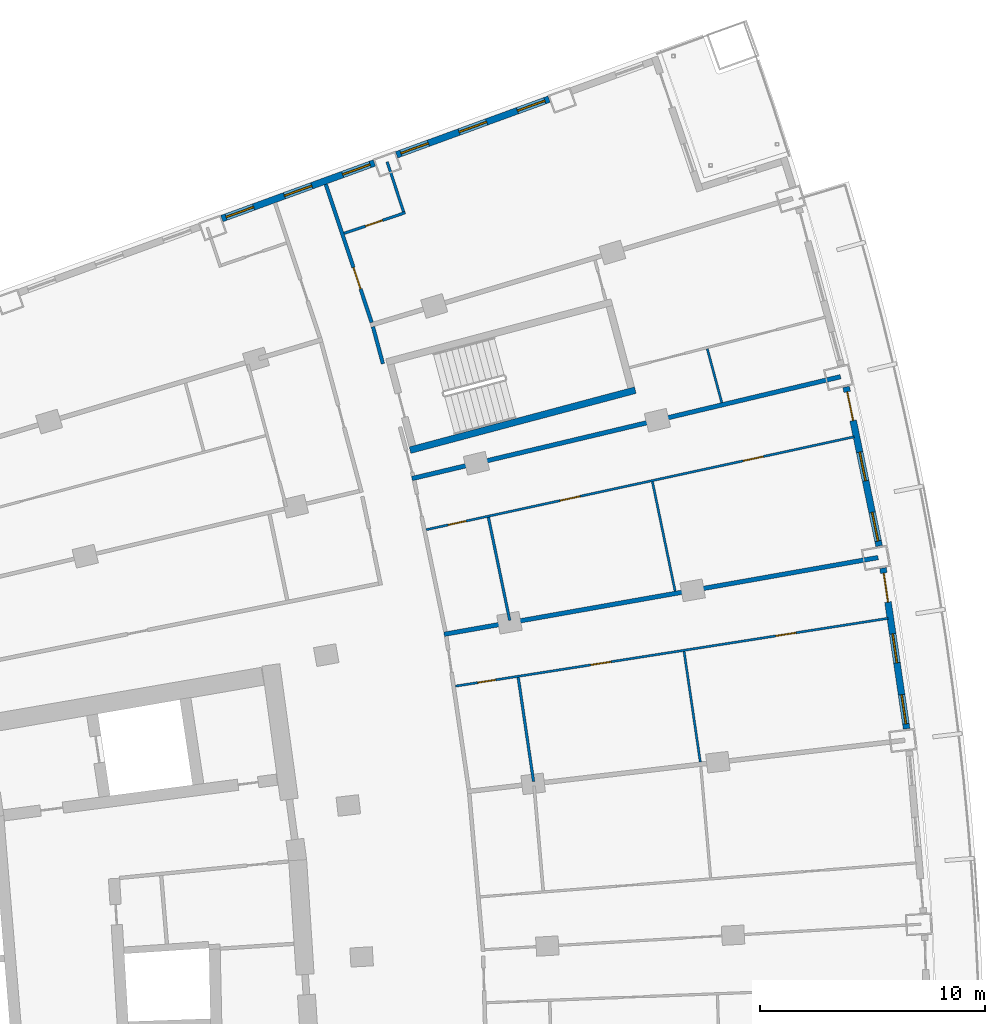
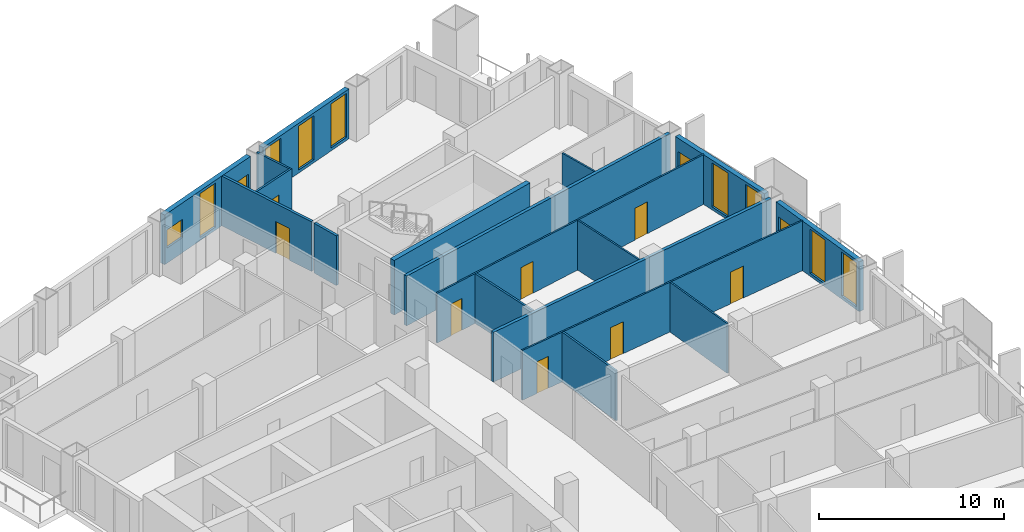
# One storey, part 20 of 25: 18 walls, 10 doors, 10 windows, 20 openings.
"""IFC4 building model written with IfcOpenShell, lengths in metres."""

from ifc_helpers import new_model, si_unit, direction, frame, frame_2d, origin, place, context, subcontext, project, spatial, rectangle, extrude, material, layer, layer_set, type_object, element, fill, save


model = new_model("IFC4")

# Units and contexts
model_context = context("Model", 3, precision=1e-05, world=origin(), true_north=direction((0.0, 1.0)))
body_context = subcontext(model_context, "Body", "Model", "MODEL_VIEW")
ifc_project = project(units=[si_unit("LENGTHUNIT", "METRE"), si_unit("AREAUNIT", "SQUARE_METRE"), si_unit("VOLUMEUNIT", "CUBIC_METRE"), si_unit("PLANEANGLEUNIT", "RADIAN"), si_unit("MASSUNIT", "GRAM", prefix="KILO")], contexts=[model_context])

# Site, building, storey
site_placement = place(None, origin())
site = spatial("IfcSite", under=ifc_project, at=site_placement, CompositionType="ELEMENT")
building_placement = place(site_placement, origin())
building = spatial("IfcBuilding", under=site, at=building_placement, Name="Alderwake Tower", CompositionType="ELEMENT")
storey_placement = place(building_placement, frame((0.0, 0.0, 118.39990234375)))
storey = spatial("IfcBuildingStorey", under=building, at=storey_placement, Name="L29", CompositionType="ELEMENT", Elevation=118.39990234375)

# Wall
ifc_material_1 = material(Name="Concrete C70/85", Category="concrete")
ifc_layer_1 = layer(ifc_material_1, 0.300048828125)
ifc_layer_set_1 = layer_set([ifc_layer_1], Name="Core wall stair enclosure 300 C70-85")
wall_type_1 = type_object("IfcWallType", Name="Core wall stair enclosure 300 C70-85", PredefinedType="SHEAR", material=ifc_layer_set_1)
wall_1_placement = place(storey_placement, frame((37.75390625, 90.268798828125, 0.0), z_axis=(0.0, 0.0, 1.0), x_axis=(0.966309214305, 0.257383958996, 0.0)))
element("IfcWall", 1, at=wall_1_placement, inside=storey, type_object=wall_type_1, Name="Core wall CW.084", PredefinedType="SHEAR", context=body_context, shape_type="SweptSolid", body=[
    extrude(rectangle(XDim=10.360107421875, YDim=0.300048828125, at=frame_2d((5.18017578125, 0.0))), origin(), (0.0, 0.0, 1.0), 3.60009765625),
])

# Wall, opening, door
ifc_material_2 = material(Name="Gypsum board on metal studs, rated")
ifc_layer_2 = layer(ifc_material_2, 0.159912109375)
ifc_layer_set_2 = layer_set([ifc_layer_2], Name="Corridor wall 160")
wall_type_2 = type_object("IfcWallType", Name="Corridor wall 160", PredefinedType="PARTITIONING", material=ifc_layer_set_2)
wall_2_placement = place(storey_placement, frame((34.010986328125, 102.083984375, 0.0), z_axis=(0.0, 0.0, 1.0), x_axis=(0.315140606423, -0.949044992708, 0.0)))
wall_2 = element("IfcWall", 2, at=wall_2_placement, inside=storey, type_object=wall_type_2, Name="WL/L29/W28", PredefinedType="PARTITIONING", context=body_context, shape_type="SweptSolid", body=[
    extrude(rectangle(XDim=6.46875, YDim=0.159912109375, at=frame_2d((3.234375, 0.0))), origin(), (0.0, 0.0, 1.0), 3.280029296875),
])
opening_1_placement = place(wall_2_placement, frame((3.897705078125, 0.0, 0.0)))
opening_1 = element("IfcOpeningElement", 3, at=opening_1_placement, cuts=wall_2, Name="Opening R08-U04.1", PredefinedType="OPENING", context=body_context, shape_type="SweptSolid", body=[
    extrude(rectangle(XDim=1.0, YDim=2.10009765625, at=frame_2d((0.5, 1.050048828125))), frame((0.0, 0.08984375, 0.0), z_axis=(0.0, -1.0, 0.0), x_axis=(1.0, 0.0, 0.0)), (0.0, 0.0, 1.0), 0.179931640625),
])
ifc_material_3 = material(Name="Solid timber leaf in steel frame", Category="steel")
door_type_1 = type_object("IfcDoorType", Name="Flat entrance door 1000 fire-rated", OperationType="SINGLE_SWING_LEFT", PredefinedType="DOOR", material=ifc_material_3)
door_1_placement = place(opening_1_placement, origin())
door_1 = element("IfcDoor", 4, at=door_1_placement, inside=storey, type_object=door_type_1, Name="DR/L29/U04.1", OperationType="SINGLE_SWING_LEFT", OverallHeight=2.10009765625, OverallWidth=1.0, PredefinedType="DOOR", context=body_context, shape_type="SweptSolid", body=[
    extrude(rectangle(XDim=1.0, YDim=2.10009765625, at=frame_2d((0.5, 1.050048828125))), frame((0.0, 0.02490234375, 0.0), z_axis=(0.0, -1.0, 0.0), x_axis=(1.0, 0.0, 0.0)), (0.0, 0.0, 1.0), 0.050048828125),
])
fill(opening_1, door_1)

# Wall
wall_3_placement = place(storey_placement, frame((36.549072265625, 94.110107421875, 0.0), z_axis=(0.0, 0.0, 1.0), x_axis=(-0.259813977097, 0.965658685719, 0.0)))
element("IfcWall", 5, at=wall_3_placement, inside=storey, type_object=wall_type_2, Name="WL/L29/W31", PredefinedType="PARTITIONING", context=body_context, shape_type="SweptSolid", body=[
    extrude(rectangle(XDim=1.70166015625, YDim=0.159912109375, at=frame_2d((0.850830078125, 0.0))), origin(), (0.0, 0.0, 1.0), 3.280029296875),
])

# Wall, openings, door, windows
ifc_material_4 = material(Name="Precast concrete C50/60 spandrel panel", Category="concrete")
ifc_layer_3 = layer(ifc_material_4, 0.300048828125)
ifc_layer_set_3 = layer_set([ifc_layer_3], Name="External wall EW1 Precast concrete C50/60 spandrel")
wall_type_3 = type_object("IfcWallType", Name="External wall EW1 Precast concrete C50/60 spandrel", PredefinedType="SOLIDWALL", material=ifc_layer_set_3)
wall_4_placement = place(storey_placement, frame((59.820068359375, 77.888916015625, 0.0), z_axis=(0.0, 0.0, 1.0), x_axis=(-0.145322588421, 0.989384326384, 0.0)))
wall_4 = element("IfcWall", 6, at=wall_4_placement, inside=storey, type_object=wall_type_3, Name="External wall 19", PredefinedType="SOLIDWALL", context=body_context, shape_type="SweptSolid", body=[
    extrude(rectangle(XDim=7.21728515625, YDim=0.300048828125, at=frame_2d((3.608642578125, 0.0))), origin(), (0.0, 0.0, 1.0), 3.280029296875),
])
opening_2_placement = place(wall_4_placement, frame((0.22509765625, 0.0, 0.199951171875)))
opening_2 = element("IfcOpeningElement", 7, at=opening_2_placement, cuts=wall_4, Name="Opening W1", PredefinedType="OPENING", context=body_context, shape_type="SweptSolid", body=[
    extrude(rectangle(XDim=1.300048828125, YDim=2.89990234375, at=frame_2d((0.64990234375, 1.449951171875))), frame((0.0, 0.159912109375, 0.0), z_axis=(0.0, -1.0, 0.0), x_axis=(1.0, 0.0, 0.0)), (0.0, 0.0, 1.0), 0.320068359375),
])
opening_3_placement = place(wall_4_placement, frame((2.958740234375, 0.0, 0.199951171875)))
opening_3 = element("IfcOpeningElement", 8, at=opening_3_placement, cuts=wall_4, Name="Opening W1", PredefinedType="OPENING", context=body_context, shape_type="SweptSolid", body=[
    extrude(rectangle(XDim=1.300048828125, YDim=2.89990234375, at=frame_2d((0.64990234375, 1.449951171875))), frame((0.0, 0.159912109375, 0.0), z_axis=(0.0, -1.0, 0.0), x_axis=(1.0, 0.0, 0.0)), (0.0, 0.0, 1.0), 0.320068359375),
])
opening_4_placement = place(wall_4_placement, frame((5.692138671875, 0.0, 0.0)))
opening_4 = element("IfcOpeningElement", 9, at=opening_4_placement, cuts=wall_4, Name="Opening D10", PredefinedType="OPENING", context=body_context, shape_type="SweptSolid", body=[
    extrude(rectangle(XDim=1.300048828125, YDim=2.39990234375, at=frame_2d((0.64990234375, 1.199951171875))), frame((0.0, 0.159912109375, 0.0), z_axis=(0.0, -1.0, 0.0), x_axis=(1.0, 0.0, 0.0)), (0.0, 0.0, 1.0), 0.320068359375),
])
ifc_material_5 = material(Name="Bronze tinted glass in aluminium frame", Category="aluminium")
door_type_2 = type_object("IfcDoorType", Name="Balcony door BD sliding", OperationType="SLIDING_TO_LEFT", PredefinedType="DOOR", material=ifc_material_5)
door_2_placement = place(opening_4_placement, origin())
door_2 = element("IfcDoor", 10, at=door_2_placement, inside=storey, type_object=door_type_2, Name="Door D10", OperationType="SLIDING_TO_LEFT", OverallHeight=2.39990234375, OverallWidth=1.300048828125, PredefinedType="DOOR", context=body_context, shape_type="SweptSolid", body=[
    extrude(rectangle(XDim=1.300048828125, YDim=2.39990234375, at=frame_2d((0.64990234375, 1.199951171875))), frame((0.0, 0.02490234375, 0.0), z_axis=(0.0, -1.0, 0.0), x_axis=(1.0, 0.0, 0.0)), (0.0, 0.0, 1.0), 0.050048828125),
])
fill(opening_4, door_2)
ifc_material_6 = material(Name="Bronze tinted glass in aluminium frame", Category="aluminium")
window_type_1 = type_object("IfcWindowType", Name="Window W1 tall fixed and vent", PartitioningType="DOUBLE_PANEL_VERTICAL", PredefinedType="WINDOW", material=ifc_material_6)
window_1_placement = place(opening_2_placement, origin())
window_1 = element("IfcWindow", 11, at=window_1_placement, inside=storey, type_object=window_type_1, Name="Window W1 tall fixed and vent", OverallHeight=2.89990234375, OverallWidth=1.300048828125, PartitioningType="DOUBLE_PANEL_VERTICAL", PredefinedType="WINDOW", context=body_context, shape_type="SweptSolid", body=[
    extrude(rectangle(XDim=1.300048828125, YDim=2.89990234375, at=frame_2d((0.64990234375, 1.449951171875))), frame((0.0, 0.030029296875, 0.0), z_axis=(0.0, -1.0, 0.0), x_axis=(1.0, 0.0, 0.0)), (0.0, 0.0, 1.0), 0.06005859375),
])
fill(opening_2, window_1)
window_2_placement = place(opening_3_placement, origin())
window_2 = element("IfcWindow", 12, at=window_2_placement, inside=storey, type_object=window_type_1, Name="Window W1 tall fixed and vent", OverallHeight=2.89990234375, OverallWidth=1.300048828125, PartitioningType="DOUBLE_PANEL_VERTICAL", PredefinedType="WINDOW", context=body_context, shape_type="SweptSolid", body=[
    extrude(rectangle(XDim=1.300048828125, YDim=2.89990234375, at=frame_2d((0.64990234375, 1.449951171875))), frame((0.0, 0.030029296875, 0.0), z_axis=(0.0, -1.0, 0.0), x_axis=(1.0, 0.0, 0.0)), (0.0, 0.0, 1.0), 0.06005859375),
])
fill(opening_3, window_2)

wall_5_placement = place(storey_placement, frame((58.59765625, 86.01171875, 0.0), z_axis=(0.0, 0.0, 1.0), x_axis=(-0.202759964429, 0.979228470187, 0.0)))
wall_5 = element("IfcWall", 13, at=wall_5_placement, inside=storey, type_object=wall_type_3, Name="External wall 20", PredefinedType="SOLIDWALL", context=body_context, shape_type="SweptSolid", body=[
    extrude(rectangle(XDim=7.21728515625, YDim=0.300048828125, at=frame_2d((3.608642578125, 0.0))), origin(), (0.0, 0.0, 1.0), 3.280029296875),
])
opening_5_placement = place(wall_5_placement, frame((0.22509765625, 0.0, 0.199951171875)))
opening_5 = element("IfcOpeningElement", 14, at=opening_5_placement, cuts=wall_5, Name="Opening W1", PredefinedType="OPENING", context=body_context, shape_type="SweptSolid", body=[
    extrude(rectangle(XDim=1.300048828125, YDim=2.89990234375, at=frame_2d((0.64990234375, 1.449951171875))), frame((0.0, 0.159912109375, 0.0), z_axis=(0.0, -1.0, 0.0), x_axis=(1.0, 0.0, 0.0)), (0.0, 0.0, 1.0), 0.320068359375),
])
opening_6_placement = place(wall_5_placement, frame((2.958740234375, 0.0, 0.199951171875)))
opening_6 = element("IfcOpeningElement", 15, at=opening_6_placement, cuts=wall_5, Name="Opening W1", PredefinedType="OPENING", context=body_context, shape_type="SweptSolid", body=[
    extrude(rectangle(XDim=1.300048828125, YDim=2.89990234375, at=frame_2d((0.64990234375, 1.449951171875))), frame((0.0, 0.159912109375, 0.0), z_axis=(0.0, -1.0, 0.0), x_axis=(1.0, 0.0, 0.0)), (0.0, 0.0, 1.0), 0.320068359375),
])
opening_7_placement = place(wall_5_placement, frame((5.692138671875, 0.0, 0.0)))
opening_7 = element("IfcOpeningElement", 16, at=opening_7_placement, cuts=wall_5, Name="Opening D11", PredefinedType="OPENING", context=body_context, shape_type="SweptSolid", body=[
    extrude(rectangle(XDim=1.300048828125, YDim=2.39990234375, at=frame_2d((0.64990234375, 1.199951171875))), frame((0.0, 0.159912109375, 0.0), z_axis=(0.0, -1.0, 0.0), x_axis=(1.0, 0.0, 0.0)), (0.0, 0.0, 1.0), 0.320068359375),
])
door_3_placement = place(opening_7_placement, origin())
door_3 = element("IfcDoor", 17, at=door_3_placement, inside=storey, type_object=door_type_2, Name="Door D11", OperationType="SLIDING_TO_LEFT", OverallHeight=2.39990234375, OverallWidth=1.300048828125, PredefinedType="DOOR", context=body_context, shape_type="SweptSolid", body=[
    extrude(rectangle(XDim=1.300048828125, YDim=2.39990234375, at=frame_2d((0.64990234375, 1.199951171875))), frame((0.0, 0.02490234375, 0.0), z_axis=(0.0, -1.0, 0.0), x_axis=(1.0, 0.0, 0.0)), (0.0, 0.0, 1.0), 0.050048828125),
])
fill(opening_7, door_3)
window_3_placement = place(opening_5_placement, origin())
window_3 = element("IfcWindow", 18, at=window_3_placement, inside=storey, type_object=window_type_1, Name="Window W1 tall fixed and vent", OverallHeight=2.89990234375, OverallWidth=1.300048828125, PartitioningType="DOUBLE_PANEL_VERTICAL", PredefinedType="WINDOW", context=body_context, shape_type="SweptSolid", body=[
    extrude(rectangle(XDim=1.300048828125, YDim=2.89990234375, at=frame_2d((0.64990234375, 1.449951171875))), frame((0.0, 0.030029296875, 0.0), z_axis=(0.0, -1.0, 0.0), x_axis=(1.0, 0.0, 0.0)), (0.0, 0.0, 1.0), 0.06005859375),
])
fill(opening_5, window_3)
window_4_placement = place(opening_6_placement, origin())
window_4 = element("IfcWindow", 19, at=window_4_placement, inside=storey, type_object=window_type_1, Name="Window W1 tall fixed and vent", OverallHeight=2.89990234375, OverallWidth=1.300048828125, PartitioningType="DOUBLE_PANEL_VERTICAL", PredefinedType="WINDOW", context=body_context, shape_type="SweptSolid", body=[
    extrude(rectangle(XDim=1.300048828125, YDim=2.89990234375, at=frame_2d((0.64990234375, 1.449951171875))), frame((0.0, 0.030029296875, 0.0), z_axis=(0.0, -1.0, 0.0), x_axis=(1.0, 0.0, 0.0)), (0.0, 0.0, 1.0), 0.06005859375),
])
fill(opening_6, window_4)

# Wall, openings, windows
ifc_material_7 = material(Name="Bronze metal cladding on lightweight framing")
ifc_layer_4 = layer(ifc_material_7, 0.300048828125)
ifc_layer_set_4 = layer_set([ifc_layer_4], Name="External wall EW2 bronze metal cladding")
wall_type_4 = type_object("IfcWallType", Name="External wall EW2 bronze metal cladding", PredefinedType="SOLIDWALL", material=ifc_layer_set_4)
wall_6_placement = place(storey_placement, frame((43.93408203125, 105.866943359375, 0.0), z_axis=(0.0, 0.0, 1.0), x_axis=(-0.939364762064, -0.342919587939, 0.0)))
wall_6 = element("IfcWall", 20, at=wall_6_placement, inside=storey, type_object=wall_type_4, Name="External wall 26", PredefinedType="SOLIDWALL", context=body_context, shape_type="SweptSolid", body=[
    extrude(rectangle(XDim=7.212646484375, YDim=0.300048828125, at=frame_2d((3.6064453125, 0.0))), origin(), (0.0, 0.0, 1.0), 3.280029296875),
])
opening_8_placement = place(wall_6_placement, frame((0.200927734375, 0.0, 0.199951171875)))
opening_8 = element("IfcOpeningElement", 21, at=opening_8_placement, cuts=wall_6, Name="Opening W1", PredefinedType="OPENING", context=body_context, shape_type="SweptSolid", body=[
    extrude(rectangle(XDim=1.300048828125, YDim=2.89990234375, at=frame_2d((0.64990234375, 1.449951171875))), frame((0.0, 0.159912109375, 0.0), z_axis=(0.0, -1.0, 0.0), x_axis=(1.0, 0.0, 0.0)), (0.0, 0.0, 1.0), 0.320068359375),
])
opening_9_placement = place(wall_6_placement, frame((2.95654296875, 0.0, 0.199951171875)))
opening_9 = element("IfcOpeningElement", 22, at=opening_9_placement, cuts=wall_6, Name="Opening W1", PredefinedType="OPENING", context=body_context, shape_type="SweptSolid", body=[
    extrude(rectangle(XDim=1.300048828125, YDim=2.89990234375, at=frame_2d((0.64990234375, 1.449951171875))), frame((0.0, 0.159912109375, 0.0), z_axis=(0.0, -1.0, 0.0), x_axis=(1.0, 0.0, 0.0)), (0.0, 0.0, 1.0), 0.320068359375),
])
opening_10_placement = place(wall_6_placement, frame((5.712158203125, 0.0, 0.199951171875)))
opening_10 = element("IfcOpeningElement", 23, at=opening_10_placement, cuts=wall_6, Name="Opening W1", PredefinedType="OPENING", context=body_context, shape_type="SweptSolid", body=[
    extrude(rectangle(XDim=1.300048828125, YDim=2.89990234375, at=frame_2d((0.64990234375, 1.449951171875))), frame((0.0, 0.159912109375, 0.0), z_axis=(0.0, -1.0, 0.0), x_axis=(1.0, 0.0, 0.0)), (0.0, 0.0, 1.0), 0.320068359375),
])
window_5_placement = place(opening_8_placement, origin())
window_5 = element("IfcWindow", 24, at=window_5_placement, inside=storey, type_object=window_type_1, Name="Window W1 tall fixed and vent", OverallHeight=2.89990234375, OverallWidth=1.300048828125, PartitioningType="DOUBLE_PANEL_VERTICAL", PredefinedType="WINDOW", context=body_context, shape_type="SweptSolid", body=[
    extrude(rectangle(XDim=1.300048828125, YDim=2.89990234375, at=frame_2d((0.64990234375, 1.449951171875))), frame((0.0, 0.030029296875, 0.0), z_axis=(0.0, -1.0, 0.0), x_axis=(1.0, 0.0, 0.0)), (0.0, 0.0, 1.0), 0.06005859375),
])
fill(opening_8, window_5)
window_6_placement = place(opening_9_placement, origin())
window_6 = element("IfcWindow", 25, at=window_6_placement, inside=storey, type_object=window_type_1, Name="Window W1 tall fixed and vent", OverallHeight=2.89990234375, OverallWidth=1.300048828125, PartitioningType="DOUBLE_PANEL_VERTICAL", PredefinedType="WINDOW", context=body_context, shape_type="SweptSolid", body=[
    extrude(rectangle(XDim=1.300048828125, YDim=2.89990234375, at=frame_2d((0.64990234375, 1.449951171875))), frame((0.0, 0.030029296875, 0.0), z_axis=(0.0, -1.0, 0.0), x_axis=(1.0, 0.0, 0.0)), (0.0, 0.0, 1.0), 0.06005859375),
])
fill(opening_9, window_6)
window_7_placement = place(opening_10_placement, origin())
window_7 = element("IfcWindow", 26, at=window_7_placement, inside=storey, type_object=window_type_1, Name="Window W1 tall fixed and vent", OverallHeight=2.89990234375, OverallWidth=1.300048828125, PartitioningType="DOUBLE_PANEL_VERTICAL", PredefinedType="WINDOW", context=body_context, shape_type="SweptSolid", body=[
    extrude(rectangle(XDim=1.300048828125, YDim=2.89990234375, at=frame_2d((0.64990234375, 1.449951171875))), frame((0.0, 0.030029296875, 0.0), z_axis=(0.0, -1.0, 0.0), x_axis=(1.0, 0.0, 0.0)), (0.0, 0.0, 1.0), 0.06005859375),
])
fill(opening_10, window_7)

wall_7_placement = place(storey_placement, frame((36.16845703125, 103.0322265625, 0.0), z_axis=(0.0, 0.0, 1.0), x_axis=(-0.939375665231, -0.342889719256, 0.0)))
wall_7 = element("IfcWall", 27, at=wall_7_placement, inside=storey, type_object=wall_type_4, Name="External wall 27", PredefinedType="SOLIDWALL", context=body_context, shape_type="SweptSolid", body=[
    extrude(rectangle(XDim=7.212646484375, YDim=0.300048828125, at=frame_2d((3.6064453125, 0.0))), origin(), (0.0, 0.0, 1.0), 3.280029296875),
])
opening_11_placement = place(wall_7_placement, frame((0.20068359375, 0.0, 1.0)))
opening_11 = element("IfcOpeningElement", 28, at=opening_11_placement, cuts=wall_7, Name="Opening W2", PredefinedType="OPENING", context=body_context, shape_type="SweptSolid", body=[
    extrude(rectangle(XDim=1.300048828125, YDim=1.199951171875, at=frame_2d((0.64990234375, 0.60009765625))), frame((0.0, 0.159912109375, 0.0), z_axis=(0.0, -1.0, 0.0), x_axis=(1.0, 0.0, 0.0)), (0.0, 0.0, 1.0), 0.320068359375),
])
opening_12_placement = place(wall_7_placement, frame((2.956298828125, 0.0, 0.199951171875)))
opening_12 = element("IfcOpeningElement", 29, at=opening_12_placement, cuts=wall_7, Name="Opening W1", PredefinedType="OPENING", context=body_context, shape_type="SweptSolid", body=[
    extrude(rectangle(XDim=1.300048828125, YDim=2.89990234375, at=frame_2d((0.64990234375, 1.449951171875))), frame((0.0, 0.159912109375, 0.0), z_axis=(0.0, -1.0, 0.0), x_axis=(1.0, 0.0, 0.0)), (0.0, 0.0, 1.0), 0.320068359375),
])
opening_13_placement = place(wall_7_placement, frame((5.7119140625, 0.0, 1.0)))
opening_13 = element("IfcOpeningElement", 30, at=opening_13_placement, cuts=wall_7, Name="Opening W2", PredefinedType="OPENING", context=body_context, shape_type="SweptSolid", body=[
    extrude(rectangle(XDim=1.300048828125, YDim=1.199951171875, at=frame_2d((0.64990234375, 0.60009765625))), frame((0.0, 0.159912109375, 0.0), z_axis=(0.0, -1.0, 0.0), x_axis=(1.0, 0.0, 0.0)), (0.0, 0.0, 1.0), 0.320068359375),
])
window_8_placement = place(opening_12_placement, origin())
window_8 = element("IfcWindow", 31, at=window_8_placement, inside=storey, type_object=window_type_1, Name="Window W1 tall fixed and vent", OverallHeight=2.89990234375, OverallWidth=1.300048828125, PartitioningType="DOUBLE_PANEL_VERTICAL", PredefinedType="WINDOW", context=body_context, shape_type="SweptSolid", body=[
    extrude(rectangle(XDim=1.300048828125, YDim=2.89990234375, at=frame_2d((0.64990234375, 1.449951171875))), frame((0.0, 0.030029296875, 0.0), z_axis=(0.0, -1.0, 0.0), x_axis=(1.0, 0.0, 0.0)), (0.0, 0.0, 1.0), 0.06005859375),
])
fill(opening_12, window_8)
ifc_material_8 = material(Name="Bronze tinted glass in aluminium frame", Category="aluminium")
window_type_2 = type_object("IfcWindowType", Name="Window W2 kitchen and bath", PartitioningType="SINGLE_PANEL", PredefinedType="WINDOW", material=ifc_material_8)
window_9_placement = place(opening_11_placement, origin())
window_9 = element("IfcWindow", 32, at=window_9_placement, inside=storey, type_object=window_type_2, Name="Window W2 kitchen and bath", OverallHeight=1.199951171875, OverallWidth=1.300048828125, PartitioningType="SINGLE_PANEL", PredefinedType="WINDOW", context=body_context, shape_type="SweptSolid", body=[
    extrude(rectangle(XDim=1.300048828125, YDim=1.199951171875, at=frame_2d((0.64990234375, 0.60009765625))), frame((0.0, 0.030029296875, 0.0), z_axis=(0.0, -1.0, 0.0), x_axis=(1.0, 0.0, 0.0)), (0.0, 0.0, 1.0), 0.06005859375),
])
fill(opening_11, window_9)
window_10_placement = place(opening_13_placement, origin())
window_10 = element("IfcWindow", 33, at=window_10_placement, inside=storey, type_object=window_type_2, Name="Window W2 kitchen and bath", OverallHeight=1.199951171875, OverallWidth=1.300048828125, PartitioningType="SINGLE_PANEL", PredefinedType="WINDOW", context=body_context, shape_type="SweptSolid", body=[
    extrude(rectangle(XDim=1.300048828125, YDim=1.199951171875, at=frame_2d((0.64990234375, 0.60009765625))), frame((0.0, 0.030029296875, 0.0), z_axis=(0.0, -1.0, 0.0), x_axis=(1.0, 0.0, 0.0)), (0.0, 0.0, 1.0), 0.06005859375),
])
fill(opening_13, window_10)

# Walls
ifc_material_9 = material(Name="Dense block masonry wall", Category="masonry")
ifc_layer_5 = layer(ifc_material_9, 0.199951171875)
ifc_layer_set_5 = layer_set([ifc_layer_5], Name="Party wall 200")
wall_type_5 = type_object("IfcWallType", Name="Party wall 200", PredefinedType="SOLIDWALL", material=ifc_layer_set_5)
wall_8_placement = place(storey_placement, frame((37.839111328125, 89.006591796875, 0.0), z_axis=(0.0, 0.0, 1.0), x_axis=(0.97289391961, 0.23125185661, 0.0)))
element("IfcWall", 34, at=wall_8_placement, inside=storey, type_object=wall_type_5, Name="WL/L29/W07", PredefinedType="SOLIDWALL", context=body_context, shape_type="SweptSolid", body=[
    extrude(rectangle(XDim=19.57763671875, YDim=0.199951171875, at=frame_2d((9.788818359375, 0.0))), origin(), (0.0, 0.0, 1.0), 3.280029296875),
])
wall_9_placement = place(storey_placement, frame((39.269287109375, 82.087158203125, 0.0), z_axis=(0.0, 0.0, 1.0), x_axis=(0.984720105895, 0.174144517702, 0.0)))
element("IfcWall", 35, at=wall_9_placement, inside=storey, type_object=wall_type_5, Name="WL/L29/W08", PredefinedType="SOLIDWALL", context=body_context, shape_type="SweptSolid", body=[
    extrude(rectangle(XDim=19.5810546875, YDim=0.199951171875, at=frame_2d((9.79052734375, 0.0))), origin(), (0.0, 0.0, 1.0), 3.280029296875),
])

# Wall, openings, doors
ifc_material_10 = material(Name="Gypsum board on metal studs")
ifc_layer_6 = layer(ifc_material_10, 0.10009765625)
ifc_layer_set_6 = layer_set([ifc_layer_6], Name="Unit partition 100")
wall_type_6 = type_object("IfcWallType", Name="Unit partition 100", PredefinedType="PARTITIONING", material=ifc_layer_set_6)
wall_10_placement = place(storey_placement, frame((57.491943359375, 90.864013671875, 0.0), z_axis=(0.0, 0.0, 1.0), x_axis=(-0.977238475914, -0.212143727677, 0.0)))
wall_10 = element("IfcWall", 36, at=wall_10_placement, inside=storey, type_object=wall_type_6, Name="WL/L29/W67", PredefinedType="PARTITIONING", context=body_context, shape_type="SweptSolid", body=[
    extrude(rectangle(XDim=19.462890625, YDim=0.10009765625, at=frame_2d((9.7314453125, 0.0))), origin(), (0.0, 0.0, 1.0), 3.280029296875),
])
opening_14_placement = place(wall_10_placement, frame((12.46533203125, 0.0, 0.0)))
opening_14 = element("IfcOpeningElement", 37, at=opening_14_placement, cuts=wall_10, Name="Opening R08-U10.1", PredefinedType="OPENING", context=body_context, shape_type="SweptSolid", body=[
    extrude(rectangle(XDim=0.89990234375, YDim=2.10009765625, at=frame_2d((0.449951171875, 1.050048828125))), frame((0.0, 0.06005859375, 0.0), z_axis=(0.0, -1.0, 0.0), x_axis=(1.0, 0.0, 0.0)), (0.0, 0.0, 1.0), 0.1201171875),
])
opening_15_placement = place(wall_10_placement, frame((17.65380859375, 0.0, 0.0)))
opening_15 = element("IfcOpeningElement", 38, at=opening_15_placement, cuts=wall_10, Name="Opening R08-U10.3", PredefinedType="OPENING", context=body_context, shape_type="SweptSolid", body=[
    extrude(rectangle(XDim=0.800048828125, YDim=2.10009765625, at=frame_2d((0.39990234375, 1.050048828125))), frame((0.0, 0.06005859375, 0.0), z_axis=(0.0, -1.0, 0.0), x_axis=(1.0, 0.0, 0.0)), (0.0, 0.0, 1.0), 0.1201171875),
])
opening_16_placement = place(wall_10_placement, frame((4.1435546875, 0.0, 0.0)))
opening_16 = element("IfcOpeningElement", 39, at=opening_16_placement, cuts=wall_10, Name="Opening R08-U10.4", PredefinedType="OPENING", context=body_context, shape_type="SweptSolid", body=[
    extrude(rectangle(XDim=0.89990234375, YDim=2.10009765625, at=frame_2d((0.449951171875, 1.050048828125))), frame((0.0, 0.06005859375, 0.0), z_axis=(0.0, -1.0, 0.0), x_axis=(1.0, 0.0, 0.0)), (0.0, 0.0, 1.0), 0.1201171875),
])
ifc_material_11 = material(Name="Painted timber leaf", Category="wood")
door_type_3 = type_object("IfcDoorType", Name="Bathroom door 800", OperationType="SINGLE_SWING_LEFT", PredefinedType="DOOR", material=ifc_material_11)
door_4_placement = place(opening_15_placement, origin())
door_4 = element("IfcDoor", 40, at=door_4_placement, inside=storey, type_object=door_type_3, Name="DR/L29/U10.3", OperationType="SINGLE_SWING_LEFT", OverallHeight=2.10009765625, OverallWidth=0.800048828125, PredefinedType="DOOR", context=body_context, shape_type="SweptSolid", body=[
    extrude(rectangle(XDim=0.800048828125, YDim=2.10009765625, at=frame_2d((0.39990234375, 1.050048828125))), frame((0.0, 0.02490234375, 0.0), z_axis=(0.0, -1.0, 0.0), x_axis=(1.0, 0.0, 0.0)), (0.0, 0.0, 1.0), 0.050048828125),
])
fill(opening_15, door_4)
ifc_material_12 = material(Name="Painted timber leaf", Category="wood")
door_type_4 = type_object("IfcDoorType", Name="Room door 900", OperationType="SINGLE_SWING_LEFT", PredefinedType="DOOR", material=ifc_material_12)
door_5_placement = place(opening_14_placement, origin())
door_5 = element("IfcDoor", 41, at=door_5_placement, inside=storey, type_object=door_type_4, Name="DR/L29/U10.1", OperationType="SINGLE_SWING_LEFT", OverallHeight=2.10009765625, OverallWidth=0.89990234375, PredefinedType="DOOR", context=body_context, shape_type="SweptSolid", body=[
    extrude(rectangle(XDim=0.89990234375, YDim=2.10009765625, at=frame_2d((0.449951171875, 1.050048828125))), frame((0.0, 0.02490234375, 0.0), z_axis=(0.0, -1.0, 0.0), x_axis=(1.0, 0.0, 0.0)), (0.0, 0.0, 1.0), 0.050048828125),
])
fill(opening_14, door_5)
door_6_placement = place(opening_16_placement, origin())
door_6 = element("IfcDoor", 42, at=door_6_placement, inside=storey, type_object=door_type_4, Name="DR/L29/U10.4", OperationType="SINGLE_SWING_LEFT", OverallHeight=2.10009765625, OverallWidth=0.89990234375, PredefinedType="DOOR", context=body_context, shape_type="SweptSolid", body=[
    extrude(rectangle(XDim=0.89990234375, YDim=2.10009765625, at=frame_2d((0.449951171875, 1.050048828125))), frame((0.0, 0.02490234375, 0.0), z_axis=(0.0, -1.0, 0.0), x_axis=(1.0, 0.0, 0.0)), (0.0, 0.0, 1.0), 0.050048828125),
])
fill(opening_16, door_6)

wall_11_placement = place(storey_placement, frame((58.998046875, 82.797119140625, 0.0), z_axis=(0.0, 0.0, 1.0), x_axis=(-0.987932626215, -0.154884234383, 0.0)))
wall_11 = element("IfcWall", 43, at=wall_11_placement, inside=storey, type_object=wall_type_6, Name="WL/L29/W68", PredefinedType="PARTITIONING", context=body_context, shape_type="SweptSolid", body=[
    extrude(rectangle(XDim=19.4638671875, YDim=0.10009765625, at=frame_2d((9.73193359375, 0.0))), origin(), (0.0, 0.0, 1.0), 3.280029296875),
])
opening_17_placement = place(wall_11_placement, frame((12.464111328125, 0.0, 0.0)))
opening_17 = element("IfcOpeningElement", 44, at=opening_17_placement, cuts=wall_11, Name="Opening R08-U09.1", PredefinedType="OPENING", context=body_context, shape_type="SweptSolid", body=[
    extrude(rectangle(XDim=0.89990234375, YDim=2.10009765625, at=frame_2d((0.449951171875, 1.050048828125))), frame((0.0, 0.06005859375, 0.0), z_axis=(0.0, -1.0, 0.0), x_axis=(1.0, 0.0, 0.0)), (0.0, 0.0, 1.0), 0.1201171875),
])
opening_18_placement = place(wall_11_placement, frame((17.65380859375, 0.0, 0.0)))
opening_18 = element("IfcOpeningElement", 45, at=opening_18_placement, cuts=wall_11, Name="Opening R08-U09.3", PredefinedType="OPENING", context=body_context, shape_type="SweptSolid", body=[
    extrude(rectangle(XDim=0.800048828125, YDim=2.10009765625, at=frame_2d((0.39990234375, 1.050048828125))), frame((0.0, 0.06005859375, 0.0), z_axis=(0.0, -1.0, 0.0), x_axis=(1.0, 0.0, 0.0)), (0.0, 0.0, 1.0), 0.1201171875),
])
opening_19_placement = place(wall_11_placement, frame((4.14208984375, 0.0, 0.0)))
opening_19 = element("IfcOpeningElement", 46, at=opening_19_placement, cuts=wall_11, Name="Opening R08-U09.4", PredefinedType="OPENING", context=body_context, shape_type="SweptSolid", body=[
    extrude(rectangle(XDim=0.89990234375, YDim=2.10009765625, at=frame_2d((0.449951171875, 1.050048828125))), frame((0.0, 0.06005859375, 0.0), z_axis=(0.0, -1.0, 0.0), x_axis=(1.0, 0.0, 0.0)), (0.0, 0.0, 1.0), 0.1201171875),
])
door_7_placement = place(opening_18_placement, origin())
door_7 = element("IfcDoor", 47, at=door_7_placement, inside=storey, type_object=door_type_3, Name="DR/L29/U09.3", OperationType="SINGLE_SWING_LEFT", OverallHeight=2.10009765625, OverallWidth=0.800048828125, PredefinedType="DOOR", context=body_context, shape_type="SweptSolid", body=[
    extrude(rectangle(XDim=0.800048828125, YDim=2.10009765625, at=frame_2d((0.39990234375, 1.050048828125))), frame((0.0, 0.02490234375, 0.0), z_axis=(0.0, -1.0, 0.0), x_axis=(1.0, 0.0, 0.0)), (0.0, 0.0, 1.0), 0.050048828125),
])
fill(opening_18, door_7)
door_8_placement = place(opening_17_placement, origin())
door_8 = element("IfcDoor", 48, at=door_8_placement, inside=storey, type_object=door_type_4, Name="DR/L29/U09.1", OperationType="SINGLE_SWING_LEFT", OverallHeight=2.10009765625, OverallWidth=0.89990234375, PredefinedType="DOOR", context=body_context, shape_type="SweptSolid", body=[
    extrude(rectangle(XDim=0.89990234375, YDim=2.10009765625, at=frame_2d((0.449951171875, 1.050048828125))), frame((0.0, 0.02490234375, 0.0), z_axis=(0.0, -1.0, 0.0), x_axis=(1.0, 0.0, 0.0)), (0.0, 0.0, 1.0), 0.050048828125),
])
fill(opening_17, door_8)
door_9_placement = place(opening_19_placement, origin())
door_9 = element("IfcDoor", 49, at=door_9_placement, inside=storey, type_object=door_type_4, Name="DR/L29/U09.4", OperationType="SINGLE_SWING_LEFT", OverallHeight=2.10009765625, OverallWidth=0.89990234375, PredefinedType="DOOR", context=body_context, shape_type="SweptSolid", body=[
    extrude(rectangle(XDim=0.89990234375, YDim=2.10009765625, at=frame_2d((0.449951171875, 1.050048828125))), frame((0.0, 0.02490234375, 0.0), z_axis=(0.0, -1.0, 0.0), x_axis=(1.0, 0.0, 0.0)), (0.0, 0.0, 1.0), 0.050048828125),
])
fill(opening_19, door_9)

# Walls
wall_12_placement = place(storey_placement, frame((49.53369140625, 84.0048828125, 0.0), z_axis=(0.0, 0.0, 1.0), x_axis=(-0.202997574952, 0.979179240264, 0.0)))
element("IfcWall", 50, at=wall_12_placement, inside=storey, type_object=wall_type_6, Name="WL/L29/W79", PredefinedType="PARTITIONING", context=body_context, shape_type="SweptSolid", body=[
    extrude(rectangle(XDim=4.96337890625, YDim=0.10009765625, at=frame_2d((2.481689453125, 0.0))), origin(), (0.0, 0.0, 1.0), 3.280029296875),
])
wall_13_placement = place(storey_placement, frame((50.65234375, 76.4130859375, 0.0), z_axis=(0.0, 0.0, 1.0), x_axis=(-0.145399144846, 0.98937307861, 0.0)))
element("IfcWall", 51, at=wall_13_placement, inside=storey, type_object=wall_type_6, Name="WL/L29/W81", PredefinedType="PARTITIONING", context=body_context, shape_type="SweptSolid", body=[
    extrude(rectangle(XDim=4.965087890625, YDim=0.10009765625, at=frame_2d((2.482421875, 0.0))), origin(), (0.0, 0.0, 1.0), 3.280029296875),
])
wall_14_placement = place(storey_placement, frame((51.60693359375, 92.379638671875, 0.0), z_axis=(0.0, 0.0, 1.0), x_axis=(-0.259952302089, 0.965621458253, 0.0)))
element("IfcWall", 52, at=wall_14_placement, inside=storey, type_object=wall_type_6, Name="WL/L29/W86", PredefinedType="PARTITIONING", context=body_context, shape_type="SweptSolid", body=[
    extrude(rectangle(XDim=2.481201171875, YDim=0.10009765625, at=frame_2d((1.24072265625, 0.0))), origin(), (0.0, 0.0, 1.0), 3.280029296875),
])

# Wall, opening, door
ifc_material_13 = material(Name="Moisture resistant gypsum board on metal studs")
ifc_layer_7 = layer(ifc_material_13, 0.1201171875)
ifc_layer_set_7 = layer_set([ifc_layer_7], Name="Wet room partition 120")
wall_type_7 = type_object("IfcWallType", Name="Wet room partition 120", PredefinedType="PARTITIONING", material=ifc_layer_set_7)
wall_15_placement = place(storey_placement, frame((34.81884765625, 99.901611328125, 0.0), z_axis=(0.0, 0.0, 1.0), x_axis=(0.947119631015, 0.32088067026, 0.0)))
wall_15 = element("IfcWall", 53, at=wall_15_placement, inside=storey, type_object=wall_type_7, Name="WL/L29/W50", PredefinedType="PARTITIONING", context=body_context, shape_type="SweptSolid", body=[
    extrude(rectangle(XDim=2.878173828125, YDim=0.1201171875, at=frame_2d((1.43896484375, 0.0))), origin(), (0.0, 0.0, 1.0), 3.280029296875),
])
opening_20_placement = place(wall_15_placement, frame((1.009765625, 0.0, 0.0)))
opening_20 = element("IfcOpeningElement", 54, at=opening_20_placement, cuts=wall_15, Name="Opening R08-U04.2", PredefinedType="OPENING", context=body_context, shape_type="SweptSolid", body=[
    extrude(rectangle(XDim=0.800048828125, YDim=2.10009765625, at=frame_2d((0.39990234375, 1.050048828125))), frame((0.0, 0.070068359375, 0.0), z_axis=(0.0, -1.0, 0.0), x_axis=(1.0, 0.0, 0.0)), (0.0, 0.0, 1.0), 0.14013671875),
])
door_10_placement = place(opening_20_placement, origin())
door_10 = element("IfcDoor", 55, at=door_10_placement, inside=storey, type_object=door_type_3, Name="DR/L29/U04.2", OperationType="SINGLE_SWING_LEFT", OverallHeight=2.10009765625, OverallWidth=0.800048828125, PredefinedType="DOOR", context=body_context, shape_type="SweptSolid", body=[
    extrude(rectangle(XDim=0.800048828125, YDim=2.10009765625, at=frame_2d((0.39990234375, 1.050048828125))), frame((0.0, 0.02490234375, 0.0), z_axis=(0.0, -1.0, 0.0), x_axis=(1.0, 0.0, 0.0)), (0.0, 0.0, 1.0), 0.050048828125),
])
fill(opening_20, door_10)

# Walls
wall_16_placement = place(storey_placement, frame((37.468994140625, 100.863037109375, 0.0), z_axis=(0.0, 0.0, 1.0), x_axis=(-0.314251248963, 0.94933985091, 0.0)))
element("IfcWall", 56, at=wall_16_placement, inside=storey, type_object=wall_type_7, Name="WL/L29/W53", PredefinedType="PARTITIONING", context=body_context, shape_type="SweptSolid", body=[
    extrude(rectangle(XDim=2.33544921875, YDim=0.1201171875, at=frame_2d((1.167724609375, 0.0))), origin(), (0.0, 0.0, 1.0), 3.280029296875),
])
wall_17_placement = place(storey_placement, frame((42.18359375, 82.7060546875, 0.0), z_axis=(0.0, 0.0, 1.0), x_axis=(-0.20267985984, 0.979245053301, 0.0)))
element("IfcWall", 57, at=wall_17_placement, inside=storey, type_object=wall_type_7, Name="WL/L29/W56", PredefinedType="PARTITIONING", context=body_context, shape_type="SweptSolid", body=[
    extrude(rectangle(XDim=4.6748046875, YDim=0.1201171875, at=frame_2d((2.33740234375, 0.0))), origin(), (0.0, 0.0, 1.0), 3.280029296875),
])
wall_18_placement = place(storey_placement, frame((43.242431640625, 75.5458984375, 0.0), z_axis=(0.0, 0.0, 1.0), x_axis=(-0.145515042, 0.989356039326, 0.0)))
element("IfcWall", 58, at=wall_18_placement, inside=storey, type_object=wall_type_7, Name="WL/L29/W57", PredefinedType="PARTITIONING", context=body_context, shape_type="SweptSolid", body=[
    extrude(rectangle(XDim=4.67431640625, YDim=0.1201171875, at=frame_2d((2.337158203125, 0.0))), origin(), (0.0, 0.0, 1.0), 3.280029296875),
])

save(model, "model.ifc")
